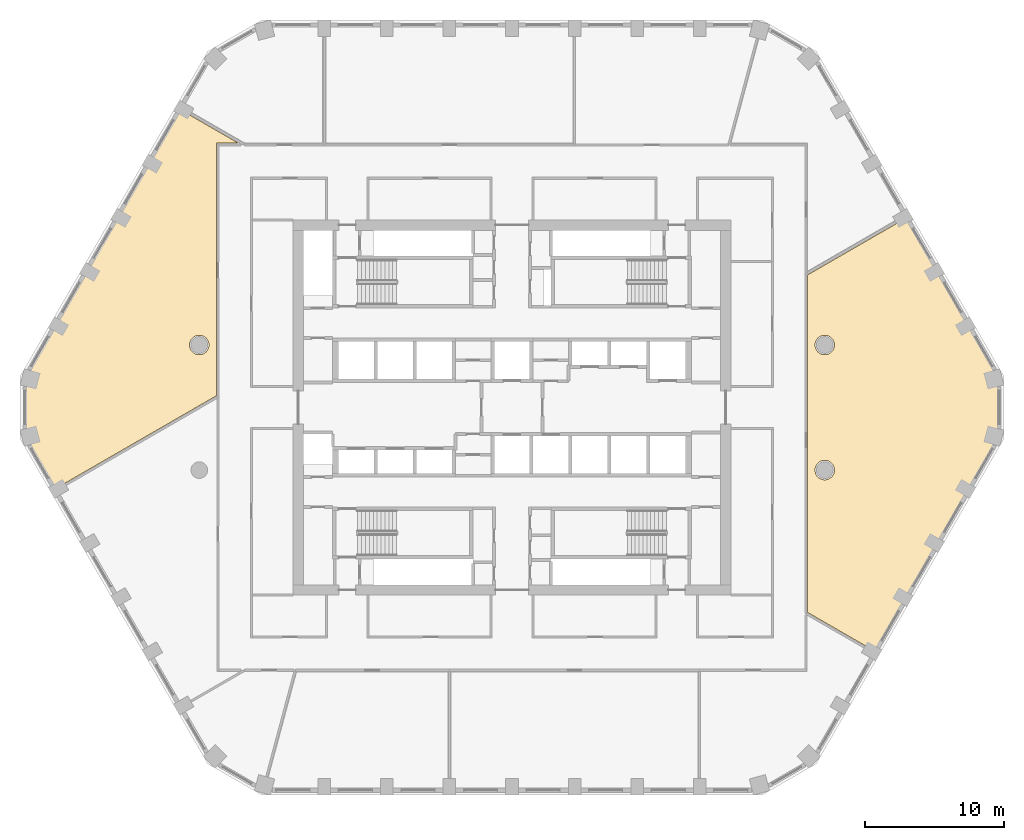
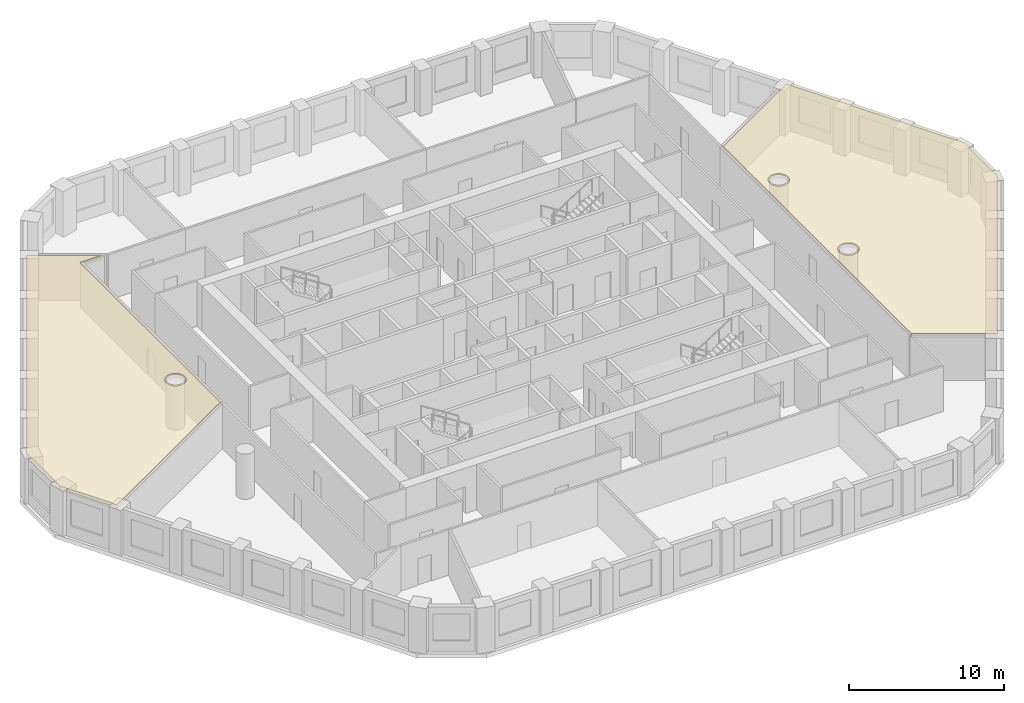
# One storey, part 12 of 14: 2 coverings.
"""IFC4 building model written with IfcOpenShell, lengths in metres."""

from ifc_helpers import new_model, si_unit, direction, frame, origin, place, context, subcontext, project, spatial, polyline, outline, extrude, material, layer, layer_set, type_object, element, save


model = new_model("IFC4")

# Units and contexts
model_context = context("Model", 3, precision=1e-05, world=origin(), true_north=direction((0.0, 1.0)))
body_context = subcontext(model_context, "Body", "Model", "MODEL_VIEW")
ifc_project = project(units=[si_unit("LENGTHUNIT", "METRE"), si_unit("AREAUNIT", "SQUARE_METRE"), si_unit("VOLUMEUNIT", "CUBIC_METRE"), si_unit("PLANEANGLEUNIT", "RADIAN"), si_unit("MASSUNIT", "GRAM", prefix="KILO")], contexts=[model_context])

# Site, building, storey
site_placement = place(None, origin())
site = spatial("IfcSite", under=ifc_project, at=site_placement, CompositionType="ELEMENT")
building_placement = place(site_placement, origin())
building = spatial("IfcBuilding", under=site, at=building_placement, Name="Dhurran Vertical Campus", CompositionType="ELEMENT")
storey_placement = place(building_placement, frame((0.0, 0.0, 140.39990234375)))
storey = spatial("IfcBuildingStorey", under=building, at=storey_placement, Name="L34", CompositionType="ELEMENT", Elevation=140.39990234375)

# Coverings
ifc_material = material(Name="Mineral fibre ceiling tiles on suspended grid")
ifc_layer = layer(ifc_material, 0.35009765625)
ifc_layer_set = layer_set([ifc_layer], Name="Mineral fibre ceiling tiles on suspended grid")
covering_type = type_object("IfcCoveringType", Name="fl-CE-350 suspended ceiling", PredefinedType="CEILING", material=ifc_layer_set)
covering_1_placement = place(storey_placement, frame((0.0, 0.0, 3.22509765625)))
element("IfcCovering", 1, at=covering_1_placement, inside=storey, type_object=covering_type, Name="Ceiling 34-09", PredefinedType="CEILING", context=body_context, shape_type="SweptSolid", body=[
    extrude(outline(polyline([(-19.68408203125, 19.02001953125), (-21.27001953125, 19.02001953125), (-21.27001953125, 0.847900390625), (-32.843017578125, -5.8330078125), (-34.97705078125, -2.137939453125), (-34.97705078125, 2.137939453125), (-23.843017578125, 21.422119140625), (-19.68408203125, 19.02001953125)]), holes=[polyline([(-21.830078125, 4.702880859375), (-21.85302734375, 4.76806640625), (-21.883056640625, 4.830078125), (-21.91796875, 4.888916015625), (-21.958984375, 4.944091796875), (-22.0048828125, 4.9951171875), (-22.055908203125, 5.041015625), (-22.111083984375, 5.08203125), (-22.169921875, 5.116943359375), (-22.23193359375, 5.14697265625), (-22.297119140625, 5.169921875), (-22.363037109375, 5.18701171875), (-22.430908203125, 5.197021484375), (-22.5, 5.199951171875), (-22.569091796875, 5.197021484375), (-22.636962890625, 5.18701171875), (-22.702880859375, 5.169921875), (-22.76806640625, 5.14697265625), (-22.830078125, 5.116943359375), (-22.888916015625, 5.08203125), (-22.944091796875, 5.041015625), (-22.9951171875, 4.9951171875), (-23.041015625, 4.944091796875), (-23.08203125, 4.888916015625), (-23.116943359375, 4.830078125), (-23.14697265625, 4.76806640625), (-23.169921875, 4.702880859375), (-23.18701171875, 4.636962890625), (-23.197021484375, 4.569091796875), (-23.199951171875, 4.5), (-23.197021484375, 4.430908203125), (-23.18701171875, 4.363037109375), (-23.169921875, 4.297119140625), (-23.14697265625, 4.23193359375), (-23.116943359375, 4.169921875), (-23.08203125, 4.111083984375), (-23.041015625, 4.055908203125), (-22.9951171875, 4.0048828125), (-22.944091796875, 3.958984375), (-22.888916015625, 3.91796875), (-22.830078125, 3.883056640625), (-22.76806640625, 3.85302734375), (-22.702880859375, 3.830078125), (-22.636962890625, 3.81298828125), (-22.569091796875, 3.802978515625), (-22.5, 3.800048828125), (-22.430908203125, 3.802978515625), (-22.363037109375, 3.81298828125), (-22.297119140625, 3.830078125), (-22.23193359375, 3.85302734375), (-22.169921875, 3.883056640625), (-22.111083984375, 3.91796875), (-22.055908203125, 3.958984375), (-22.0048828125, 4.0048828125), (-21.958984375, 4.055908203125), (-21.91796875, 4.111083984375), (-21.883056640625, 4.169921875), (-21.85302734375, 4.23193359375), (-21.830078125, 4.297119140625), (-21.81298828125, 4.363037109375), (-21.802978515625, 4.430908203125), (-21.800048828125, 4.5), (-21.802978515625, 4.569091796875), (-21.81298828125, 4.636962890625), (-21.830078125, 4.702880859375)])]), origin(), (0.0, 0.0, 1.0), 0.35009765625),
])
covering_2_placement = place(storey_placement, frame((0.0, 0.0, 3.22509765625)))
element("IfcCovering", 2, at=covering_2_placement, inside=storey, type_object=covering_type, Name="Ceiling 34-31", PredefinedType="CEILING", context=body_context, shape_type="SweptSolid", body=[
    extrude(outline(polyline([(28.343017578125, 13.626953125), (34.97705078125, 2.137939453125), (34.97705078125, -2.137939453125), (26.093017578125, -17.52392578125), (21.27001953125, -14.739990234375), (21.27001953125, 9.5439453125), (28.343017578125, 13.626953125)]), holes=[polyline([(23.18701171875, -4.363037109375), (23.169921875, -4.297119140625), (23.14697265625, -4.23193359375), (23.116943359375, -4.169921875), (23.08203125, -4.111083984375), (23.041015625, -4.055908203125), (22.9951171875, -4.0048828125), (22.944091796875, -3.958984375), (22.888916015625, -3.91796875), (22.830078125, -3.883056640625), (22.76806640625, -3.85302734375), (22.702880859375, -3.830078125), (22.636962890625, -3.81298828125), (22.569091796875, -3.802978515625), (22.5, -3.800048828125), (22.430908203125, -3.802978515625), (22.363037109375, -3.81298828125), (22.297119140625, -3.830078125), (22.23193359375, -3.85302734375), (22.169921875, -3.883056640625), (22.111083984375, -3.91796875), (22.055908203125, -3.958984375), (22.0048828125, -4.0048828125), (21.958984375, -4.055908203125), (21.91796875, -4.111083984375), (21.883056640625, -4.169921875), (21.85302734375, -4.23193359375), (21.830078125, -4.297119140625), (21.81298828125, -4.363037109375), (21.802978515625, -4.430908203125), (21.800048828125, -4.5), (21.802978515625, -4.569091796875), (21.81298828125, -4.636962890625), (21.830078125, -4.702880859375), (21.85302734375, -4.76806640625), (21.883056640625, -4.830078125), (21.91796875, -4.888916015625), (21.958984375, -4.944091796875), (22.0048828125, -4.9951171875), (22.055908203125, -5.041015625), (22.111083984375, -5.08203125), (22.169921875, -5.116943359375), (22.23193359375, -5.14697265625), (22.297119140625, -5.169921875), (22.363037109375, -5.18701171875), (22.430908203125, -5.197021484375), (22.5, -5.199951171875), (22.569091796875, -5.197021484375), (22.636962890625, -5.18701171875), (22.702880859375, -5.169921875), (22.76806640625, -5.14697265625), (22.830078125, -5.116943359375), (22.888916015625, -5.08203125), (22.944091796875, -5.041015625), (22.9951171875, -4.9951171875), (23.041015625, -4.944091796875), (23.08203125, -4.888916015625), (23.116943359375, -4.830078125), (23.14697265625, -4.76806640625), (23.169921875, -4.702880859375), (23.18701171875, -4.636962890625), (23.197021484375, -4.569091796875), (23.199951171875, -4.5), (23.197021484375, -4.430908203125), (23.18701171875, -4.363037109375)]), polyline([(23.197021484375, 4.569091796875), (23.18701171875, 4.636962890625), (23.169921875, 4.702880859375), (23.14697265625, 4.76806640625), (23.116943359375, 4.830078125), (23.08203125, 4.888916015625), (23.041015625, 4.944091796875), (22.9951171875, 4.9951171875), (22.944091796875, 5.041015625), (22.888916015625, 5.08203125), (22.830078125, 5.116943359375), (22.76806640625, 5.14697265625), (22.702880859375, 5.169921875), (22.636962890625, 5.18701171875), (22.569091796875, 5.197021484375), (22.5, 5.199951171875), (22.430908203125, 5.197021484375), (22.363037109375, 5.18701171875), (22.297119140625, 5.169921875), (22.23193359375, 5.14697265625), (22.169921875, 5.116943359375), (22.111083984375, 5.08203125), (22.055908203125, 5.041015625), (22.0048828125, 4.9951171875), (21.958984375, 4.944091796875), (21.91796875, 4.888916015625), (21.883056640625, 4.830078125), (21.85302734375, 4.76806640625), (21.830078125, 4.702880859375), (21.81298828125, 4.636962890625), (21.802978515625, 4.569091796875), (21.800048828125, 4.5), (21.802978515625, 4.430908203125), (21.81298828125, 4.363037109375), (21.830078125, 4.297119140625), (21.85302734375, 4.23193359375), (21.883056640625, 4.169921875), (21.91796875, 4.111083984375), (21.958984375, 4.055908203125), (22.0048828125, 4.0048828125), (22.055908203125, 3.958984375), (22.111083984375, 3.91796875), (22.169921875, 3.883056640625), (22.23193359375, 3.85302734375), (22.297119140625, 3.830078125), (22.363037109375, 3.81298828125), (22.430908203125, 3.802978515625), (22.5, 3.800048828125), (22.569091796875, 3.802978515625), (22.636962890625, 3.81298828125), (22.702880859375, 3.830078125), (22.76806640625, 3.85302734375), (22.830078125, 3.883056640625), (22.888916015625, 3.91796875), (22.944091796875, 3.958984375), (22.9951171875, 4.0048828125), (23.041015625, 4.055908203125), (23.08203125, 4.111083984375), (23.116943359375, 4.169921875), (23.14697265625, 4.23193359375), (23.169921875, 4.297119140625), (23.18701171875, 4.363037109375), (23.197021484375, 4.430908203125), (23.199951171875, 4.5), (23.197021484375, 4.569091796875)])]), origin(), (0.0, 0.0, 1.0), 0.35009765625),
])

save(model, "model.ifc")
